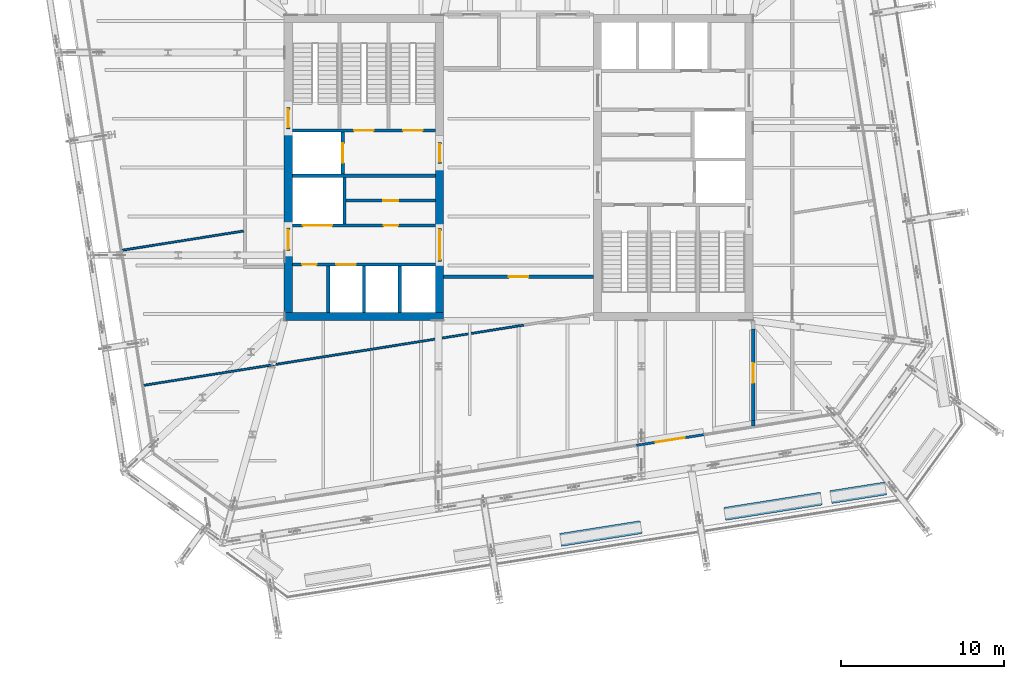
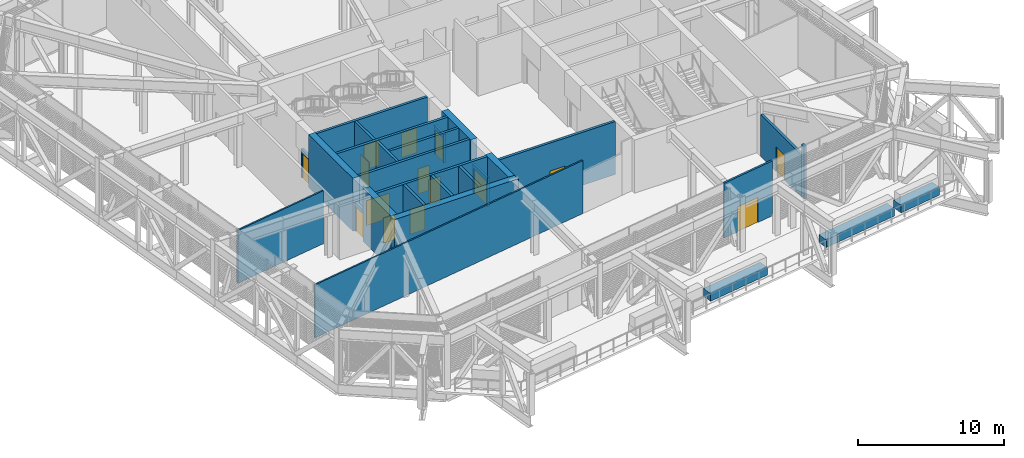
# One storey, part 21 of 35: 28 walls, 15 doors, 15 openings.
"""IFC4 building model written with IfcOpenShell, lengths in metres."""

from ifc_helpers import new_model, si_unit, direction, frame, frame_2d, origin, place, context, subcontext, project, spatial, rectangle, extrude, material, layer, layer_set, type_object, element, fill, save


model = new_model("IFC4")

# Units and contexts
model_context = context("Model", 3, precision=1e-05, world=origin(), true_north=direction((0.0, 1.0)))
body_context = subcontext(model_context, "Body", "Model", "MODEL_VIEW")
ifc_project = project(units=[si_unit("LENGTHUNIT", "METRE"), si_unit("AREAUNIT", "SQUARE_METRE"), si_unit("VOLUMEUNIT", "CUBIC_METRE"), si_unit("PLANEANGLEUNIT", "RADIAN"), si_unit("MASSUNIT", "GRAM", prefix="KILO")], contexts=[model_context])

# Site, building, storey
site_placement = place(None, origin())
site = spatial("IfcSite", under=ifc_project, at=site_placement, CompositionType="ELEMENT")
building_placement = place(site_placement, origin())
building = spatial("IfcBuilding", under=site, at=building_placement, Name="Millrace Tower", CompositionType="ELEMENT")
storey_placement = place(building_placement, frame((0.0, 0.0, 200.10009765625)))
storey = spatial("IfcBuildingStorey", under=building, at=storey_placement, Name="L45", CompositionType="ELEMENT", Elevation=200.10009765625)

# Walls
ifc_material_1 = material(Name="Concrete C60", Category="concrete")
ifc_layer_1 = layer(ifc_material_1, 0.5)
ifc_layer_set_1 = layer_set([ifc_layer_1], Name="Concrete C60")
wall_type_1 = type_object("IfcWallType", Name="Core wall 500 Concrete C60", PredefinedType="SHEAR", material=ifc_layer_set_1)
wall_1_placement = place(storey_placement, frame((-14.39990234375, -9.14990234375, 0.0), z_axis=(0.0, 0.0, 1.0), x_axis=(1.0, 0.0, 0.0)))
element("IfcWall", 1, at=wall_1_placement, inside=storey, type_object=wall_type_1, Name="Core wall W L45", PredefinedType="SHEAR", context=body_context, shape_type="SweptSolid", body=[
    extrude(rectangle(XDim=9.7998046875, YDim=0.5, at=frame_2d((4.89990234375, 0.0))), origin(), (0.0, 0.0, 1.0), 4.43994140625),
])
wall_2_placement = place(storey_placement, frame((-14.14990234375, -8.89990234375, 0.0), z_axis=(0.0, 0.0, 1.0), x_axis=(0.0, 1.0, 0.0)))
element("IfcWall", 2, at=wall_2_placement, inside=storey, type_object=wall_type_1, Name="Core wall W L45", PredefinedType="SHEAR", context=body_context, shape_type="SweptSolid", body=[
    extrude(rectangle(XDim=3.7998046875, YDim=0.5, at=frame_2d((1.89990234375, 0.0))), origin(), (0.0, 0.0, 1.0), 4.43994140625),
])
wall_3_placement = place(storey_placement, frame((-14.14990234375, -3.699951171875, 0.0), z_axis=(0.0, 0.0, 1.0), x_axis=(0.0, 1.0, 0.0)))
element("IfcWall", 3, at=wall_3_placement, inside=storey, type_object=wall_type_1, Name="Core wall W L45", PredefinedType="SHEAR", context=body_context, shape_type="SweptSolid", body=[
    extrude(rectangle(XDim=6.079833984375, YDim=0.5, at=frame_2d((3.0400390625, 0.0))), origin(), (0.0, 0.0, 1.0), 4.43994140625),
])
wall_4_placement = place(storey_placement, frame((-4.85009765625, -8.89990234375, 0.0), z_axis=(0.0, 0.0, 1.0), x_axis=(0.0, 1.0, 0.0)))
element("IfcWall", 4, at=wall_4_placement, inside=storey, type_object=wall_type_1, Name="Core wall W L45", PredefinedType="SHEAR", context=body_context, shape_type="SweptSolid", body=[
    extrude(rectangle(XDim=3.14990234375, YDim=0.5, at=frame_2d((1.574951171875, 0.0))), origin(), (0.0, 0.0, 1.0), 4.43994140625),
])
wall_5_placement = place(storey_placement, frame((-4.85009765625, -3.75, 0.0), z_axis=(0.0, 0.0, 1.0), x_axis=(0.0, 1.0, 0.0)))
element("IfcWall", 5, at=wall_5_placement, inside=storey, type_object=wall_type_1, Name="Core wall W L45", PredefinedType="SHEAR", context=body_context, shape_type="SweptSolid", body=[
    extrude(rectangle(XDim=4.0, YDim=0.5, at=frame_2d((2.0, 0.0))), origin(), (0.0, 0.0, 1.0), 4.43994140625),
])

# Wall, opening, door
ifc_material_2 = material(Name="Masonry partition, fire-rated", Category="masonry")
ifc_layer_2 = layer(ifc_material_2, 0.199951171875)
ifc_layer_set_2 = layer_set([ifc_layer_2], Name="Masonry partition, fire-rated")
wall_type_2 = type_object("IfcWallType", Name="Corridor wall 200", PredefinedType="PARTITIONING", material=ifc_layer_set_2)
wall_6_placement = place(storey_placement, frame((-4.60009765625, -6.699951171875, 0.0), z_axis=(0.0, 0.0, 1.0), x_axis=(1.0, 0.0, 0.0)))
wall_6 = element("IfcWall", 6, at=wall_6_placement, inside=storey, type_object=wall_type_2, Name="Corridor wall L45", PredefinedType="PARTITIONING", context=body_context, shape_type="SweptSolid", body=[
    extrude(rectangle(XDim=9.2001953125, YDim=0.199951171875, at=frame_2d((4.60009765625, 0.0))), origin(), (0.0, 0.0, 1.0), 4.43994140625),
])
opening_1_placement = place(wall_6_placement, frame((4.0, 0.0, 0.0)))
opening_1 = element("IfcOpeningElement", 7, at=opening_1_placement, cuts=wall_6, Name="Opening 45-P004", PredefinedType="OPENING", context=body_context, shape_type="SweptSolid", body=[
    extrude(rectangle(XDim=1.199951171875, YDim=2.10009765625, at=frame_2d((0.60009765625, 1.050048828125))), frame((0.0, 0.10986328125, 0.0), z_axis=(0.0, -1.0, 0.0), x_axis=(1.0, 0.0, 0.0)), (0.0, 0.0, 1.0), 0.219970703125),
])
ifc_material_3 = material(Name="Steel door set, fire-rated", Category="steel")
door_type_1 = type_object("IfcDoorType", Name="Corridor door 1200 x 2100", OperationType="SINGLE_SWING_LEFT", PredefinedType="DOOR", material=ifc_material_3)
door_1_placement = place(opening_1_placement, frame((1.199951171875, 0.0, 0.0), z_axis=(0.0, 0.0, 1.0), x_axis=(-1.0, 0.0, 0.0)))
door_1 = element("IfcDoor", 8, at=door_1_placement, inside=storey, type_object=door_type_1, Name="Door 45-P004", OperationType="SINGLE_SWING_RIGHT", OverallHeight=2.10009765625, OverallWidth=1.199951171875, PredefinedType="DOOR", context=body_context, shape_type="SweptSolid", body=[
    extrude(rectangle(XDim=1.199951171875, YDim=2.10009765625, at=frame_2d((0.60009765625, 1.050048828125))), frame((0.0, 0.02490234375, 0.0), z_axis=(0.0, -1.0, 0.0), x_axis=(1.0, 0.0, 0.0)), (0.0, 0.0, 1.0), 0.050048828125),
])
fill(opening_1, door_1)

# Wall
wall_7_placement = place(storey_placement, frame((14.39990234375, -15.87451171875, 0.0), z_axis=(0.0, 0.0, 1.0), x_axis=(0.0, 1.0, 0.0)))
element("IfcWall", 9, at=wall_7_placement, inside=storey, type_object=wall_type_2, Name="Corridor wall L45", PredefinedType="PARTITIONING", context=body_context, shape_type="SweptSolid", body=[
    extrude(rectangle(XDim=0.349609375, YDim=0.199951171875, at=frame_2d((0.1748046875, 0.0))), origin(), (0.0, 0.0, 1.0), 4.43994140625),
])

# Wall, opening, door
wall_8_placement = place(storey_placement, frame((14.39990234375, -15.52490234375, 0.0), z_axis=(0.0, 0.0, 1.0), x_axis=(0.0, 1.0, 0.0)))
wall_8 = element("IfcWall", 10, at=wall_8_placement, inside=storey, type_object=wall_type_2, Name="Corridor wall L45", PredefinedType="PARTITIONING", context=body_context, shape_type="SweptSolid", body=[
    extrude(rectangle(XDim=5.623291015625, YDim=0.199951171875, at=frame_2d((2.8115234375, 0.0))), origin(), (0.0, 0.0, 1.0), 3.5126953125),
])
opening_2_placement = place(wall_8_placement, frame((2.31298828125, 0.0, 0.0)))
opening_2 = element("IfcOpeningElement", 11, at=opening_2_placement, cuts=wall_8, Name="Opening 45-P003", PredefinedType="OPENING", context=body_context, shape_type="SweptSolid", body=[
    extrude(rectangle(XDim=1.199951171875, YDim=2.10009765625, at=frame_2d((0.60009765625, 1.050048828125))), frame((0.0, 0.10986328125, 0.0), z_axis=(0.0, -1.0, 0.0), x_axis=(1.0, 0.0, 0.0)), (0.0, 0.0, 1.0), 0.219970703125),
])
door_2_placement = place(opening_2_placement, frame((1.199951171875, 0.0, 0.0), z_axis=(0.0, 0.0, 1.0), x_axis=(-1.0, 0.0, 0.0)))
door_2 = element("IfcDoor", 12, at=door_2_placement, inside=storey, type_object=door_type_1, Name="Door 45-P003", OperationType="SINGLE_SWING_RIGHT", OverallHeight=2.10009765625, OverallWidth=1.199951171875, PredefinedType="DOOR", context=body_context, shape_type="SweptSolid", body=[
    extrude(rectangle(XDim=1.199951171875, YDim=2.10009765625, at=frame_2d((0.60009765625, 1.050048828125))), frame((0.0, 0.02490234375, 0.0), z_axis=(0.0, -1.0, 0.0), x_axis=(1.0, 0.0, 0.0)), (0.0, 0.0, 1.0), 0.050048828125),
])
fill(opening_2, door_2)

ifc_material_4 = material(Name="Aluminium framed glazing", Category="aluminium")
ifc_layer_3 = layer(ifc_material_4, 0.14990234375)
ifc_layer_set_3 = layer_set([ifc_layer_3], Name="Aluminium framed glazing")
wall_type_3 = type_object("IfcWallType", Name="Entrance infill wall 150 thick", PredefinedType="STANDARD", material=ifc_layer_set_3)
wall_9_placement = place(storey_placement, frame((7.232177734375, -17.055419921875, 0.0), z_axis=(0.0, 0.0, 1.0), x_axis=(0.98768626319, 0.156447580694, 0.0)))
wall_9 = element("IfcWall", 13, at=wall_9_placement, inside=storey, type_object=wall_type_3, Name="Entrance infill wall D-F02 7", PredefinedType="STANDARD", context=body_context, shape_type="SweptSolid", body=[
    extrude(rectangle(XDim=4.264892578125, YDim=0.14990234375, at=frame_2d((2.13232421875, 0.0))), origin(), (0.0, 0.0, 1.0), 4.599853515625),
])
opening_3_placement = place(wall_9_placement, frame((1.199951171875, 0.0, 0.0)))
opening_3 = element("IfcOpeningElement", 14, at=opening_3_placement, cuts=wall_9, Name="Opening 45-X002", PredefinedType="OPENING", context=body_context, shape_type="SweptSolid", body=[
    extrude(rectangle(XDim=1.800048828125, YDim=2.10009765625, at=frame_2d((0.89990234375, 1.050048828125))), frame((0.0, 0.0849609375, 0.0), z_axis=(0.0, -1.0, 0.0), x_axis=(1.0, 0.0, 0.0)), (0.0, 0.0, 1.0), 0.169921875),
])
ifc_material_5 = material(Name="Aluminium and glass", Category="aluminium")
door_type_2 = type_object("IfcDoorType", Name="Terrace double door", OperationType="DOUBLE_DOOR_DOUBLE_SWING", PredefinedType="DOOR", material=ifc_material_5)
door_3_placement = place(opening_3_placement, frame((1.800048828125, 0.0, 0.0), z_axis=(0.0, 0.0, 1.0), x_axis=(-1.0, 0.0, 0.0)))
door_3 = element("IfcDoor", 15, at=door_3_placement, inside=storey, type_object=door_type_2, Name="45-X002", OperationType="DOUBLE_DOOR_DOUBLE_SWING", OverallHeight=2.10009765625, OverallWidth=1.800048828125, PredefinedType="DOOR", context=body_context, shape_type="SweptSolid", body=[
    extrude(rectangle(XDim=1.800048828125, YDim=2.10009765625, at=frame_2d((0.89990234375, 1.050048828125))), frame((0.0, 0.02490234375, 0.0), z_axis=(0.0, -1.0, 0.0), x_axis=(1.0, 0.0, 0.0)), (0.0, 0.0, 1.0), 0.050048828125),
])
fill(opening_3, door_3)

# Wall, openings, doors
ifc_material_6 = material(Name="Masonry partition, fire-rated", Category="masonry")
ifc_layer_4 = layer(ifc_material_6, 0.199951171875)
ifc_layer_set_4 = layer_set([ifc_layer_4], Name="Masonry partition, fire-rated")
wall_type_4 = type_object("IfcWallType", Name="Lift shaft wall 200", PredefinedType="PARTITIONING", material=ifc_layer_set_4)
wall_10_placement = place(storey_placement, frame((-13.89990234375, -5.949951171875, 0.0), z_axis=(0.0, 0.0, 1.0), x_axis=(1.0, 0.0, 0.0)))
wall_10 = element("IfcWall", 16, at=wall_10_placement, inside=storey, type_object=wall_type_4, Name="Lift shaft wall W L45", PredefinedType="PARTITIONING", context=body_context, shape_type="SweptSolid", body=[
    extrude(rectangle(XDim=8.7998046875, YDim=0.199951171875, at=frame_2d((4.39990234375, 0.0))), origin(), (0.0, 0.0, 1.0), 4.43994140625),
])
opening_4_placement = place(wall_10_placement, frame((2.699951171875, 0.0, 0.0)))
opening_4 = element("IfcOpeningElement", 17, at=opening_4_placement, cuts=wall_10, Name="Opening 45-LD02", PredefinedType="OPENING", context=body_context, shape_type="SweptSolid", body=[
    extrude(rectangle(XDim=1.199951171875, YDim=2.10009765625, at=frame_2d((0.60009765625, 1.050048828125))), frame((0.0, 0.10986328125, 0.0), z_axis=(0.0, -1.0, 0.0), x_axis=(1.0, 0.0, 0.0)), (0.0, 0.0, 1.0), 0.219970703125),
])
opening_5_placement = place(wall_10_placement, frame((0.60009765625, 0.0, 0.0)))
opening_5 = element("IfcOpeningElement", 18, at=opening_5_placement, cuts=wall_10, Name="Opening 45-C005", PredefinedType="OPENING", context=body_context, shape_type="SweptSolid", body=[
    extrude(rectangle(XDim=0.89990234375, YDim=2.10009765625, at=frame_2d((0.449951171875, 1.050048828125))), frame((0.0, 0.10986328125, 0.0), z_axis=(0.0, -1.0, 0.0), x_axis=(1.0, 0.0, 0.0)), (0.0, 0.0, 1.0), 0.219970703125),
])
ifc_material_7 = material(Name="Stainless steel, fire-rated", Category="steel")
door_type_3 = type_object("IfcDoorType", Name="Lift landing door 1200 x 2100", OperationType="DOUBLE_DOOR_SLIDING", PredefinedType="DOOR", material=ifc_material_7)
door_4_placement = place(opening_4_placement, origin())
door_4 = element("IfcDoor", 19, at=door_4_placement, inside=storey, type_object=door_type_3, Name="Lift landing door LF2 L45", OperationType="DOUBLE_DOOR_SLIDING", OverallHeight=2.10009765625, OverallWidth=1.199951171875, PredefinedType="DOOR", context=body_context, shape_type="SweptSolid", body=[
    extrude(rectangle(XDim=1.199951171875, YDim=2.10009765625, at=frame_2d((0.60009765625, 1.050048828125))), frame((0.0, 0.02490234375, 0.0), z_axis=(0.0, -1.0, 0.0), x_axis=(1.0, 0.0, 0.0)), (0.0, 0.0, 1.0), 0.050048828125),
])
fill(opening_4, door_4)
ifc_material_8 = material(Name="Steel door, fire-rated", Category="steel")
door_type_4 = type_object("IfcDoorType", Name="Service room door 900 x 2100", OperationType="SINGLE_SWING_LEFT", PredefinedType="DOOR", material=ifc_material_8)
door_5_placement = place(opening_5_placement, frame((0.89990234375, 0.0, 0.0), z_axis=(0.0, 0.0, 1.0), x_axis=(-1.0, 0.0, 0.0)))
door_5 = element("IfcDoor", 20, at=door_5_placement, inside=storey, type_object=door_type_4, Name="Service room door 45-C005", OperationType="SINGLE_SWING_RIGHT", OverallHeight=2.10009765625, OverallWidth=0.89990234375, PredefinedType="DOOR", context=body_context, shape_type="SweptSolid", body=[
    extrude(rectangle(XDim=0.89990234375, YDim=2.10009765625, at=frame_2d((0.449951171875, 1.050048828125))), frame((0.0, 0.02490234375, 0.0), z_axis=(0.0, -1.0, 0.0), x_axis=(1.0, 0.0, 0.0)), (0.0, 0.0, 1.0), 0.050048828125),
])
fill(opening_5, door_5)

wall_11_placement = place(storey_placement, frame((-13.89990234375, -3.550048828125, 0.0), z_axis=(0.0, 0.0, 1.0), x_axis=(1.0, 0.0, 0.0)))
wall_11 = element("IfcWall", 21, at=wall_11_placement, inside=storey, type_object=wall_type_4, Name="Lift shaft wall W L45", PredefinedType="PARTITIONING", context=body_context, shape_type="SweptSolid", body=[
    extrude(rectangle(XDim=8.7998046875, YDim=0.199951171875, at=frame_2d((4.39990234375, 0.0))), origin(), (0.0, 0.0, 1.0), 4.43994140625),
])
opening_6_placement = place(wall_11_placement, frame((0.64990234375, 0.0, 0.0)))
opening_6 = element("IfcOpeningElement", 22, at=opening_6_placement, cuts=wall_11, Name="Opening 45-LD05", PredefinedType="OPENING", context=body_context, shape_type="SweptSolid", body=[
    extrude(rectangle(XDim=1.800048828125, YDim=2.10009765625, at=frame_2d((0.89990234375, 1.050048828125))), frame((0.0, 0.10986328125, 0.0), z_axis=(0.0, -1.0, 0.0), x_axis=(1.0, 0.0, 0.0)), (0.0, 0.0, 1.0), 0.219970703125),
])
opening_7_placement = place(wall_11_placement, frame((5.60009765625, 0.0, 0.0)))
opening_7 = element("IfcOpeningElement", 23, at=opening_7_placement, cuts=wall_11, Name="Opening 45-C006", PredefinedType="OPENING", context=body_context, shape_type="SweptSolid", body=[
    extrude(rectangle(XDim=0.89990234375, YDim=2.10009765625, at=frame_2d((0.449951171875, 1.050048828125))), frame((0.0, 0.10986328125, 0.0), z_axis=(0.0, -1.0, 0.0), x_axis=(1.0, 0.0, 0.0)), (0.0, 0.0, 1.0), 0.219970703125),
])
ifc_material_9 = material(Name="Stainless steel, fire-rated", Category="steel")
door_type_5 = type_object("IfcDoorType", Name="Lift landing door 1800 x 2100", OperationType="DOUBLE_DOOR_SLIDING", PredefinedType="DOOR", material=ifc_material_9)
door_6_placement = place(opening_6_placement, origin())
door_6 = element("IfcDoor", 24, at=door_6_placement, inside=storey, type_object=door_type_5, Name="Lift landing door LF5 L45", OperationType="DOUBLE_DOOR_SLIDING", OverallHeight=2.10009765625, OverallWidth=1.800048828125, PredefinedType="DOOR", context=body_context, shape_type="SweptSolid", body=[
    extrude(rectangle(XDim=1.800048828125, YDim=2.10009765625, at=frame_2d((0.89990234375, 1.050048828125))), frame((0.0, 0.02490234375, 0.0), z_axis=(0.0, -1.0, 0.0), x_axis=(1.0, 0.0, 0.0)), (0.0, 0.0, 1.0), 0.050048828125),
])
fill(opening_6, door_6)
door_7_placement = place(opening_7_placement, frame((0.89990234375, 0.0, 0.0), z_axis=(0.0, 0.0, 1.0), x_axis=(-1.0, 0.0, 0.0)))
door_7 = element("IfcDoor", 25, at=door_7_placement, inside=storey, type_object=door_type_4, Name="Service room door 45-C006", OperationType="SINGLE_SWING_LEFT", OverallHeight=2.10009765625, OverallWidth=0.89990234375, PredefinedType="DOOR", context=body_context, shape_type="SweptSolid", body=[
    extrude(rectangle(XDim=0.89990234375, YDim=2.10009765625, at=frame_2d((0.449951171875, 1.050048828125))), frame((0.0, 0.02490234375, 0.0), z_axis=(0.0, -1.0, 0.0), x_axis=(1.0, 0.0, 0.0)), (0.0, 0.0, 1.0), 0.050048828125),
])
fill(opening_7, door_7)

# Wall
wall_12_placement = place(storey_placement, frame((-13.89990234375, -0.5, 0.0), z_axis=(0.0, 0.0, 1.0), x_axis=(1.0, 0.0, 0.0)))
element("IfcWall", 26, at=wall_12_placement, inside=storey, type_object=wall_type_4, Name="Lift shaft wall W L45", PredefinedType="PARTITIONING", context=body_context, shape_type="SweptSolid", body=[
    extrude(rectangle(XDim=8.7998046875, YDim=0.199951171875, at=frame_2d((4.39990234375, 0.0))), origin(), (0.0, 0.0, 1.0), 4.43994140625),
])

# Wall, opening, door
wall_13_placement = place(storey_placement, frame((-10.800048828125, -0.39990234375, 0.0), z_axis=(0.0, 0.0, 1.0), x_axis=(0.0, 1.0, 0.0)))
wall_13 = element("IfcWall", 27, at=wall_13_placement, inside=storey, type_object=wall_type_4, Name="Lift shaft wall W L45", PredefinedType="PARTITIONING", context=body_context, shape_type="SweptSolid", body=[
    extrude(rectangle(XDim=2.579833984375, YDim=0.199951171875, at=frame_2d((1.2900390625, 0.0))), origin(), (0.0, 0.0, 1.0), 4.43994140625),
])
opening_8_placement = place(wall_13_placement, frame((0.68994140625, 0.0, 0.0)))
opening_8 = element("IfcOpeningElement", 28, at=opening_8_placement, cuts=wall_13, Name="Opening 45-LD08", PredefinedType="OPENING", context=body_context, shape_type="SweptSolid", body=[
    extrude(rectangle(XDim=1.199951171875, YDim=2.10009765625, at=frame_2d((0.60009765625, 1.050048828125))), frame((0.0, 0.10986328125, 0.0), z_axis=(0.0, -1.0, 0.0), x_axis=(1.0, 0.0, 0.0)), (0.0, 0.0, 1.0), 0.219970703125),
])
door_8_placement = place(opening_8_placement, origin())
door_8 = element("IfcDoor", 29, at=door_8_placement, inside=storey, type_object=door_type_3, Name="Lift landing door LF8 L45", OperationType="DOUBLE_DOOR_SLIDING", OverallHeight=2.10009765625, OverallWidth=1.199951171875, PredefinedType="DOOR", context=body_context, shape_type="SweptSolid", body=[
    extrude(rectangle(XDim=1.199951171875, YDim=2.10009765625, at=frame_2d((0.60009765625, 1.050048828125))), frame((0.0, 0.02490234375, 0.0), z_axis=(0.0, -1.0, 0.0), x_axis=(1.0, 0.0, 0.0)), (0.0, 0.0, 1.0), 0.050048828125),
])
fill(opening_8, door_8)

# Walls
for number, where, z_axis, x_axis, name in (
    (30, (-11.699951171875, -8.89990234375, 0.0), (0.0, 0.0, 1.0), (0.0, 1.0, 0.0), "Lift shaft wall W L45"),
    (31, (-9.5, -8.89990234375, 0.0), (0.0, 0.0, 1.0), (0.0, 1.0, 0.0), "Lift shaft wall W L45"),
    (32, (-7.300048828125, -8.89990234375, 0.0), (0.0, 0.0, 1.0), (0.0, 1.0, 0.0), "Lift shaft wall W L45"),
    (33, (-10.699951171875, -3.449951171875, 0.0), (0.0, 0.0, 1.0), (0.0, 1.0, 0.0), "Lift shaft wall W L45"),
):
    element("IfcWall", number, at=place(storey_placement, frame(where, z_axis=z_axis, x_axis=x_axis)), inside=storey, type_object=wall_type_4, Name=name, PredefinedType="PARTITIONING", context=body_context, shape_type="SweptSolid", body=[
        extrude(rectangle(XDim=2.849853515625, YDim=0.199951171875, at=frame_2d((1.4248046875, 0.0))), origin(), (0.0, 0.0, 1.0), 4.43994140625),
    ])

# Wall, opening, door
ifc_material_10 = material(Name="Masonry partition, fire-rated", Category="masonry")
ifc_layer_5 = layer(ifc_material_10, 0.199951171875)
ifc_layer_set_5 = layer_set([ifc_layer_5], Name="Masonry partition, fire-rated")
wall_type_5 = type_object("IfcWallType", Name="Lobby wall 200", PredefinedType="PARTITIONING", material=ifc_layer_set_5)
wall_14_placement = place(storey_placement, frame((-14.14990234375, -5.10009765625, 0.0), z_axis=(0.0, 0.0, 1.0), x_axis=(0.0, 1.0, 0.0)))
wall_14 = element("IfcWall", 34, at=wall_14_placement, inside=storey, type_object=wall_type_5, Name="Lobby wall W L45", PredefinedType="PARTITIONING", context=body_context, shape_type="SweptSolid", body=[
    extrude(rectangle(XDim=1.400146484375, YDim=0.199951171875, at=frame_2d((0.7001953125, 0.0))), origin(), (0.0, 0.0, 1.0), 2.39990234375),
])
opening_9_placement = place(wall_14_placement, frame((0.10009765625, 0.0, 0.0)))
opening_9 = element("IfcOpeningElement", 35, at=opening_9_placement, cuts=wall_14, Name="Opening 45-C001", PredefinedType="OPENING", context=body_context, shape_type="SweptSolid", body=[
    extrude(rectangle(XDim=1.199951171875, YDim=2.10009765625, at=frame_2d((0.60009765625, 1.050048828125))), frame((0.0, 0.10986328125, 0.0), z_axis=(0.0, -1.0, 0.0), x_axis=(1.0, 0.0, 0.0)), (0.0, 0.0, 1.0), 0.219970703125),
])
ifc_material_11 = material(Name="Steel door, fire-rated", Category="steel")
door_type_6 = type_object("IfcDoorType", Name="Lobby door 1200 x 2100", OperationType="SINGLE_SWING_LEFT", PredefinedType="DOOR", material=ifc_material_11)
door_9_placement = place(opening_9_placement, origin())
door_9 = element("IfcDoor", 36, at=door_9_placement, inside=storey, type_object=door_type_6, Name="Lobby door 45-C001", OperationType="SINGLE_SWING_LEFT", OverallHeight=2.10009765625, OverallWidth=1.199951171875, PredefinedType="DOOR", context=body_context, shape_type="SweptSolid", body=[
    extrude(rectangle(XDim=1.199951171875, YDim=2.10009765625, at=frame_2d((0.60009765625, 1.050048828125))), frame((0.0, 0.02490234375, 0.0), z_axis=(0.0, -1.0, 0.0), x_axis=(1.0, 0.0, 0.0)), (0.0, 0.0, 1.0), 0.050048828125),
])
fill(opening_9, door_9)

wall_15_placement = place(storey_placement, frame((-4.85009765625, -5.75, 0.0), z_axis=(0.0, 0.0, 1.0), x_axis=(0.0, 1.0, 0.0)))
wall_15 = element("IfcWall", 37, at=wall_15_placement, inside=storey, type_object=wall_type_5, Name="Lobby wall W L45", PredefinedType="PARTITIONING", context=body_context, shape_type="SweptSolid", body=[
    extrude(rectangle(XDim=2.0, YDim=0.199951171875, at=frame_2d((1.0, 0.0))), origin(), (0.0, 0.0, 1.0), 2.39990234375),
])
opening_10_placement = place(wall_15_placement, frame((0.10009765625, 0.0, 0.0)))
opening_10 = element("IfcOpeningElement", 38, at=opening_10_placement, cuts=wall_15, Name="Opening 45-C003", PredefinedType="OPENING", context=body_context, shape_type="SweptSolid", body=[
    extrude(rectangle(XDim=1.800048828125, YDim=2.10009765625, at=frame_2d((0.89990234375, 1.050048828125))), frame((0.0, 0.10986328125, 0.0), z_axis=(0.0, -1.0, 0.0), x_axis=(1.0, 0.0, 0.0)), (0.0, 0.0, 1.0), 0.219970703125),
])
ifc_material_12 = material(Name="Steel door, fire-rated", Category="steel")
door_type_7 = type_object("IfcDoorType", Name="Lobby door 1800 x 2100", OperationType="DOUBLE_DOOR_SINGLE_SWING", PredefinedType="DOOR", material=ifc_material_12)
door_10_placement = place(opening_10_placement, frame((1.800048828125, 0.0, 0.0), z_axis=(0.0, 0.0, 1.0), x_axis=(-1.0, 0.0, 0.0)))
door_10 = element("IfcDoor", 39, at=door_10_placement, inside=storey, type_object=door_type_7, Name="Lobby door 45-C003", OperationType="DOUBLE_DOOR_SINGLE_SWING", OverallHeight=2.10009765625, OverallWidth=1.800048828125, PredefinedType="DOOR", context=body_context, shape_type="SweptSolid", body=[
    extrude(rectangle(XDim=1.800048828125, YDim=2.10009765625, at=frame_2d((0.89990234375, 1.050048828125))), frame((0.0, 0.02490234375, 0.0), z_axis=(0.0, -1.0, 0.0), x_axis=(1.0, 0.0, 0.0)), (0.0, 0.0, 1.0), 0.050048828125),
])
fill(opening_10, door_10)

wall_16_placement = place(storey_placement, frame((-4.85009765625, 0.25, 0.0), z_axis=(0.0, 0.0, 1.0), x_axis=(0.0, 1.0, 0.0)))
wall_16 = element("IfcWall", 40, at=wall_16_placement, inside=storey, type_object=wall_type_5, Name="Lobby wall W L45", PredefinedType="PARTITIONING", context=body_context, shape_type="SweptSolid", body=[
    extrude(rectangle(XDim=1.300048828125, YDim=0.199951171875, at=frame_2d((0.64990234375, 0.0))), origin(), (0.0, 0.0, 1.0), 2.39990234375),
])
opening_11_placement = place(wall_16_placement, frame((0.10009765625, 0.0, 0.0)))
opening_11 = element("IfcOpeningElement", 41, at=opening_11_placement, cuts=wall_16, Name="Opening 45-C004", PredefinedType="OPENING", context=body_context, shape_type="SweptSolid", body=[
    extrude(rectangle(XDim=1.10009765625, YDim=2.10009765625, at=frame_2d((0.550048828125, 1.050048828125))), frame((0.0, 0.10986328125, 0.0), z_axis=(0.0, -1.0, 0.0), x_axis=(1.0, 0.0, 0.0)), (0.0, 0.0, 1.0), 0.219970703125),
])
ifc_material_13 = material(Name="Steel door, fire-rated", Category="steel")
door_type_8 = type_object("IfcDoorType", Name="Lobby door 1100 x 2100", OperationType="SINGLE_SWING_LEFT", PredefinedType="DOOR", material=ifc_material_13)
door_11_placement = place(opening_11_placement, frame((1.10009765625, 0.0, 0.0), z_axis=(0.0, 0.0, 1.0), x_axis=(-1.0, 0.0, 0.0)))
door_11 = element("IfcDoor", 42, at=door_11_placement, inside=storey, type_object=door_type_8, Name="Lobby door 45-C004", OperationType="SINGLE_SWING_RIGHT", OverallHeight=2.10009765625, OverallWidth=1.10009765625, PredefinedType="DOOR", context=body_context, shape_type="SweptSolid", body=[
    extrude(rectangle(XDim=1.10009765625, YDim=2.10009765625, at=frame_2d((0.550048828125, 1.050048828125))), frame((0.0, 0.02490234375, 0.0), z_axis=(0.0, -1.0, 0.0), x_axis=(1.0, 0.0, 0.0)), (0.0, 0.0, 1.0), 0.050048828125),
])
fill(opening_11, door_11)

# Walls
ifc_material_14 = material(Name="Concrete C40", Category="concrete")
ifc_layer_6 = layer(ifc_material_14, 0.800048828125)
ifc_layer_set_6 = layer_set([ifc_layer_6], Name="Concrete C40")
wall_type_6 = type_object("IfcWallType", Name="PLANTER raised bed 650 high x 800 thick", PredefinedType="STANDARD", material=ifc_layer_set_6)
wall_17_placement = place(storey_placement, frame((2.5830078125, -22.86083984375, 0.039794921875), z_axis=(0.0, 0.0, 1.0), x_axis=(0.987686835152, 0.156443969736, 0.0)))
element("IfcWall", 43, at=wall_17_placement, inside=storey, type_object=wall_type_6, Name="PLANTER raised bed T-L44-1 1.1.2", PredefinedType="STANDARD", context=body_context, shape_type="SweptSolid", body=[
    extrude(rectangle(XDim=5.0, YDim=0.800048828125, at=frame_2d((2.5, 0.0))), origin(), (0.0, 0.0, 1.0), 0.650146484375),
])
wall_18_placement = place(storey_placement, frame((12.657470703125, -21.26513671875, 0.039794921875), z_axis=(0.0, 0.0, 1.0), x_axis=(0.987692262674, 0.156409699997, 0.0)))
element("IfcWall", 44, at=wall_18_placement, inside=storey, type_object=wall_type_6, Name="PLANTER raised bed T-L44-1 1.1.3", PredefinedType="STANDARD", context=body_context, shape_type="SweptSolid", body=[
    extrude(rectangle(XDim=6.0, YDim=0.800048828125, at=frame_2d((3.0, 0.0))), origin(), (0.0, 0.0, 1.0), 0.650146484375),
])
wall_19_placement = place(storey_placement, frame((19.17626953125, -20.232666015625, 0.039794921875), z_axis=(0.0, 0.0, 1.0), x_axis=(0.987693549262, 0.156401575265, 0.0)))
element("IfcWall", 45, at=wall_19_placement, inside=storey, type_object=wall_type_6, Name="PLANTER raised bed T-L44-1 1.1.4", PredefinedType="STANDARD", context=body_context, shape_type="SweptSolid", body=[
    extrude(rectangle(XDim=3.398193359375, YDim=0.800048828125, at=frame_2d((1.69921875, 0.0))), origin(), (0.0, 0.0, 1.0), 0.650146484375),
])
ifc_material_15 = material(Name="Gypsum board partition")
ifc_layer_7 = layer(ifc_material_15, 0.1201171875)
ifc_layer_set_7 = layer_set([ifc_layer_7], Name="Gypsum board partition")
wall_type_7 = type_object("IfcWallType", Name="Partition wall 120", PredefinedType="PARTITIONING", material=ifc_layer_set_7)
wall_20_placement = place(storey_placement, frame((-23.046875, -13.371826171875, 0.0), z_axis=(0.0, 0.0, 1.0), x_axis=(0.987687840101, 0.156437625005, 0.0)))
element("IfcWall", 46, at=wall_20_placement, inside=storey, type_object=wall_type_7, Name="Partition wall L45", PredefinedType="PARTITIONING", context=body_context, shape_type="SweptSolid", body=[
    extrude(rectangle(XDim=23.671630859375, YDim=0.1201171875, at=frame_2d((11.8359375, 0.0))), origin(), (0.0, 0.0, 1.0), 4.43994140625),
])
wall_21_placement = place(storey_placement, frame((-24.361083984375, -5.07470703125, 0.0), z_axis=(0.0, 0.0, 1.0), x_axis=(0.987704206511, 0.156334258689, 0.0)))
element("IfcWall", 47, at=wall_21_placement, inside=storey, type_object=wall_type_7, Name="Partition wall L45", PredefinedType="PARTITIONING", context=body_context, shape_type="SweptSolid", body=[
    extrude(rectangle(XDim=7.555419921875, YDim=0.1201171875, at=frame_2d((3.77783203125, 0.0))), origin(), (0.0, 0.0, 1.0), 4.43994140625),
])

# Wall, opening, door
ifc_material_16 = material(Name="Masonry partition, fire-rated", Category="masonry")
ifc_layer_8 = layer(ifc_material_16, 0.199951171875)
ifc_layer_set_8 = layer_set([ifc_layer_8], Name="Masonry partition, fire-rated")
wall_type_8 = type_object("IfcWallType", Name="Room partition 200", PredefinedType="PARTITIONING", material=ifc_layer_set_8)
wall_22_placement = place(storey_placement, frame((-10.60009765625, -2.02490234375, 0.0), z_axis=(0.0, 0.0, 1.0), x_axis=(1.0, 0.0, 0.0)))
wall_22 = element("IfcWall", 48, at=wall_22_placement, inside=storey, type_object=wall_type_8, Name="Room partition W L45", PredefinedType="PARTITIONING", context=body_context, shape_type="SweptSolid", body=[
    extrude(rectangle(XDim=5.5, YDim=0.199951171875, at=frame_2d((2.75, 0.0))), origin(), (0.0, 0.0, 1.0), 4.43994140625),
])
opening_12_placement = place(wall_22_placement, frame((2.300048828125, 0.0, 0.0)))
opening_12 = element("IfcOpeningElement", 49, at=opening_12_placement, cuts=wall_22, Name="Opening 45-C007", PredefinedType="OPENING", context=body_context, shape_type="SweptSolid", body=[
    extrude(rectangle(XDim=0.89990234375, YDim=2.10009765625, at=frame_2d((0.449951171875, 1.050048828125))), frame((0.0, 0.10986328125, 0.0), z_axis=(0.0, -1.0, 0.0), x_axis=(1.0, 0.0, 0.0)), (0.0, 0.0, 1.0), 0.219970703125),
])
door_12_placement = place(opening_12_placement, origin())
door_12 = element("IfcDoor", 50, at=door_12_placement, inside=storey, type_object=door_type_4, Name="Service room door 45-C007", OperationType="SINGLE_SWING_LEFT", OverallHeight=2.10009765625, OverallWidth=0.89990234375, PredefinedType="DOOR", context=body_context, shape_type="SweptSolid", body=[
    extrude(rectangle(XDim=0.89990234375, YDim=2.10009765625, at=frame_2d((0.449951171875, 1.050048828125))), frame((0.0, 0.02490234375, 0.0), z_axis=(0.0, -1.0, 0.0), x_axis=(1.0, 0.0, 0.0)), (0.0, 0.0, 1.0), 0.050048828125),
])
fill(opening_12, door_12)

ifc_material_17 = material(Name="Concrete C40", Category="concrete")
ifc_layer_9 = layer(ifc_material_17, 0.199951171875)
ifc_layer_set_9 = layer_set([ifc_layer_9], Name="Concrete C40")
wall_type_9 = type_object("IfcWallType", Name="Stair enclosure wall 200 Concrete C40", PredefinedType="SHEAR", material=ifc_layer_set_9)
wall_23_placement = place(storey_placement, frame((-14.14990234375, 2.3798828125, 0.0), z_axis=(0.0, 0.0, 1.0), x_axis=(0.0, 1.0, 0.0)))
wall_23 = element("IfcWall", 51, at=wall_23_placement, inside=storey, type_object=wall_type_9, Name="Stair enclosure wall W L45", PredefinedType="SHEAR", context=body_context, shape_type="SweptSolid", body=[
    extrude(rectangle(XDim=1.300048828125, YDim=0.199951171875, at=frame_2d((0.64990234375, 0.0))), origin(), (0.0, 0.0, 1.0), 2.39990234375),
])
opening_13_placement = place(wall_23_placement, frame((0.10009765625, 0.0, 0.0)))
opening_13 = element("IfcOpeningElement", 52, at=opening_13_placement, cuts=wall_23, Name="Opening 45-C002", PredefinedType="OPENING", context=body_context, shape_type="SweptSolid", body=[
    extrude(rectangle(XDim=1.10009765625, YDim=2.10009765625, at=frame_2d((0.550048828125, 1.050048828125))), frame((0.0, 0.10986328125, 0.0), z_axis=(0.0, -1.0, 0.0), x_axis=(1.0, 0.0, 0.0)), (0.0, 0.0, 1.0), 0.219970703125),
])
ifc_material_18 = material(Name="Steel door, fire-rated", Category="steel")
door_type_9 = type_object("IfcDoorType", Name="Stair door 1100 x 2100", OperationType="SINGLE_SWING_LEFT", PredefinedType="DOOR", material=ifc_material_18)
door_13_placement = place(opening_13_placement, origin())
door_13 = element("IfcDoor", 53, at=door_13_placement, inside=storey, type_object=door_type_9, Name="Stair door 45-C002", OperationType="SINGLE_SWING_RIGHT", OverallHeight=2.10009765625, OverallWidth=1.10009765625, PredefinedType="DOOR", context=body_context, shape_type="SweptSolid", body=[
    extrude(rectangle(XDim=1.10009765625, YDim=2.10009765625, at=frame_2d((0.550048828125, 1.050048828125))), frame((0.0, 0.02490234375, 0.0), z_axis=(0.0, -1.0, 0.0), x_axis=(1.0, 0.0, 0.0)), (0.0, 0.0, 1.0), 0.050048828125),
])
fill(opening_13, door_13)

# Wall, openings, doors
wall_24_placement = place(storey_placement, frame((-13.89990234375, 2.280029296875, 0.0), z_axis=(0.0, 0.0, 1.0), x_axis=(1.0, 0.0, 0.0)))
wall_24 = element("IfcWall", 54, at=wall_24_placement, inside=storey, type_object=wall_type_9, Name="Stair enclosure wall W L45", PredefinedType="SHEAR", context=body_context, shape_type="SweptSolid", body=[
    extrude(rectangle(XDim=8.7998046875, YDim=0.199951171875, at=frame_2d((4.39990234375, 0.0))), origin(), (0.0, 0.0, 1.0), 4.43994140625),
])
opening_14_placement = place(wall_24_placement, frame((3.800048828125, 0.0, 0.0)))
opening_14 = element("IfcOpeningElement", 55, at=opening_14_placement, cuts=wall_24, Name="Opening 45-C008", PredefinedType="OPENING", context=body_context, shape_type="SweptSolid", body=[
    extrude(rectangle(XDim=1.199951171875, YDim=2.10009765625, at=frame_2d((0.60009765625, 1.050048828125))), frame((0.0, 0.10986328125, 0.0), z_axis=(0.0, -1.0, 0.0), x_axis=(1.0, 0.0, 0.0)), (0.0, 0.0, 1.0), 0.219970703125),
])
opening_15_placement = place(wall_24_placement, frame((6.800048828125, 0.0, 0.0)))
opening_15 = element("IfcOpeningElement", 56, at=opening_15_placement, cuts=wall_24, Name="Opening 45-C009", PredefinedType="OPENING", context=body_context, shape_type="SweptSolid", body=[
    extrude(rectangle(XDim=1.199951171875, YDim=2.10009765625, at=frame_2d((0.60009765625, 1.050048828125))), frame((0.0, 0.10986328125, 0.0), z_axis=(0.0, -1.0, 0.0), x_axis=(1.0, 0.0, 0.0)), (0.0, 0.0, 1.0), 0.219970703125),
])
ifc_material_19 = material(Name="Steel door, fire-rated", Category="steel")
door_type_10 = type_object("IfcDoorType", Name="Stair door 1200 x 2100", OperationType="SINGLE_SWING_LEFT", PredefinedType="DOOR", material=ifc_material_19)
door_14_placement = place(opening_14_placement, frame((1.199951171875, 0.0, 0.0), z_axis=(0.0, 0.0, 1.0), x_axis=(-1.0, 0.0, 0.0)))
door_14 = element("IfcDoor", 57, at=door_14_placement, inside=storey, type_object=door_type_10, Name="Stair door 45-C008", OperationType="SINGLE_SWING_LEFT", OverallHeight=2.10009765625, OverallWidth=1.199951171875, PredefinedType="DOOR", context=body_context, shape_type="SweptSolid", body=[
    extrude(rectangle(XDim=1.199951171875, YDim=2.10009765625, at=frame_2d((0.60009765625, 1.050048828125))), frame((0.0, 0.02490234375, 0.0), z_axis=(0.0, -1.0, 0.0), x_axis=(1.0, 0.0, 0.0)), (0.0, 0.0, 1.0), 0.050048828125),
])
fill(opening_14, door_14)
door_15_placement = place(opening_15_placement, frame((1.199951171875, 0.0, 0.0), z_axis=(0.0, 0.0, 1.0), x_axis=(-1.0, 0.0, 0.0)))
door_15 = element("IfcDoor", 58, at=door_15_placement, inside=storey, type_object=door_type_10, Name="Stair door 45-C009", OperationType="SINGLE_SWING_LEFT", OverallHeight=2.10009765625, OverallWidth=1.199951171875, PredefinedType="DOOR", context=body_context, shape_type="SweptSolid", body=[
    extrude(rectangle(XDim=1.199951171875, YDim=2.10009765625, at=frame_2d((0.60009765625, 1.050048828125))), frame((0.0, 0.02490234375, 0.0), z_axis=(0.0, -1.0, 0.0), x_axis=(1.0, 0.0, 0.0)), (0.0, 0.0, 1.0), 0.050048828125),
])
fill(opening_15, door_15)

save(model, "model.ifc")
